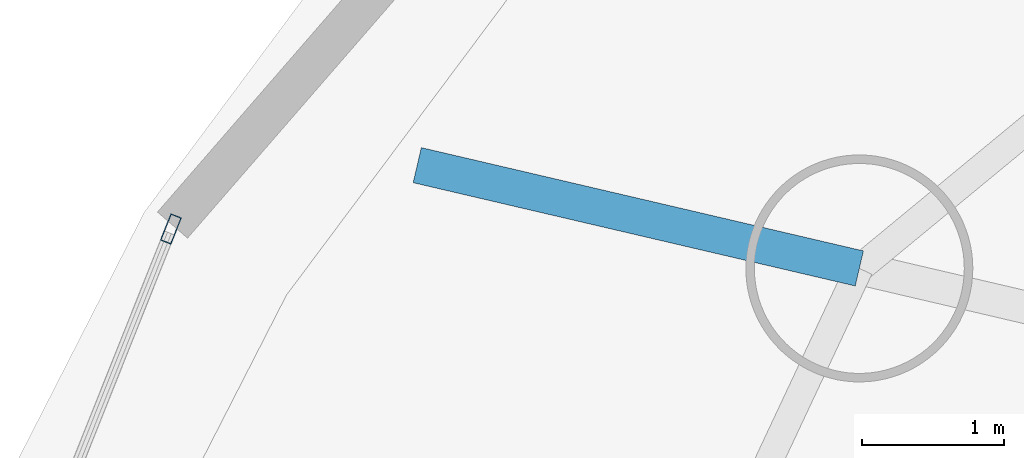
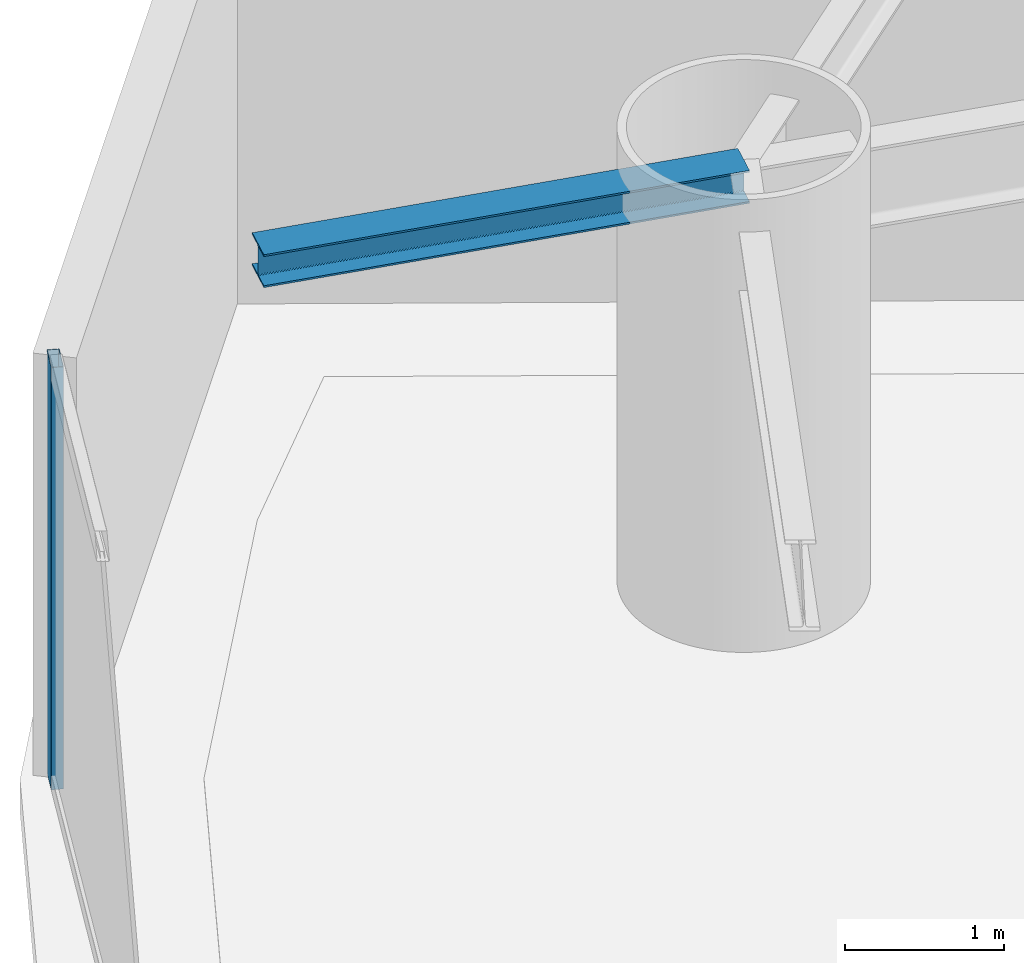
# One storey, part 12 of 26: 1 beam, 1 member, 1 element without a shape of its own.
"""IFC4 building model written with IfcOpenShell, lengths in metres."""

from ifc_helpers import new_model, si_unit, direction, frame, origin, origin_2d, place, context, subcontext, project, spatial, hollow_rectangle, i_section, extrude, material, layer, layer_set, material_profile, profile_set, type_object, element, aggregate, save


model = new_model("IFC4")

# Units and contexts
model_context = context("Model", 3, precision=1e-05, world=origin(), true_north=direction((0.0, 1.0)))
body_context = subcontext(model_context, "Body", "Model", "MODEL_VIEW")
ifc_project = project(units=[si_unit("LENGTHUNIT", "METRE"), si_unit("AREAUNIT", "SQUARE_METRE"), si_unit("VOLUMEUNIT", "CUBIC_METRE"), si_unit("PLANEANGLEUNIT", "RADIAN"), si_unit("MASSUNIT", "GRAM", prefix="KILO")], contexts=[model_context])

# Site, building, storey
site_placement = place(None, origin())
site = spatial("IfcSite", under=ifc_project, at=site_placement, CompositionType="ELEMENT")
building_placement = place(site_placement, origin())
building = spatial("IfcBuilding", under=site, at=building_placement, Name="Bramvorn Convention Spire", CompositionType="ELEMENT")
storey_placement = place(building_placement, frame((0.0, 0.0, 76.39990234375)))
storey = spatial("IfcBuildingStorey", under=building, at=storey_placement, Name="L17", CompositionType="ELEMENT", Elevation=76.39990234375)

# Beam
ifc_material_1 = material(Name="Steel CSA G40.21 Grade 350 (350W)", Category="steel")
ifc_material_profile_1 = material_profile(ifc_material_1, i_section(OverallWidth=0.25390625, OverallDepth=0.2529296875, WebThickness=0.008544921875, FlangeThickness=0.01416015625, FilletRadius=0.011962890625, at=origin_2d()))
ifc_profile_set_1 = profile_set([ifc_material_profile_1], Name="Steel CSA G40.21 Grade 350 (350W) - W250X73")
beam_type = type_object("IfcBeamType", Name="BM-W250X73", PredefinedType="BEAM", material=ifc_profile_set_1)
beam_placement = place(storey_placement, frame((12.64111328125, 36.746337890625, 3.12353515625), z_axis=(-0.973778145797, 0.227499720367, 0.0), x_axis=(-0.227499720367, -0.973778145797, 0.0)))
element("IfcBeam", 1, at=beam_placement, inside=storey, type_object=beam_type, Name="L17 slab-edge cantilever tip beam MC08", PredefinedType="BEAM", context=body_context, shape_type="SweptSolid", body=[
    extrude(i_section(OverallWidth=0.25390625, OverallDepth=0.2529296875, WebThickness=0.008544921875, FlangeThickness=0.01416015625, FilletRadius=0.011962890625, at=origin_2d()), origin(), (0.0, 0.0, 1.0), 3.2001953125),
])

# Curtain wall, member
ifc_material_2 = material(Name="Anodised Bronze Unitised Curtain Wall", Category="aluminium")
ifc_layer = layer(ifc_material_2, 0.179931640625)
ifc_layer_set = layer_set([ifc_layer], Name="Anodised Bronze Unitised Curtain Wall - CW-HTL-FRIT")
curtain_wall_type = type_object("IfcCurtainWallType", Name="CW-HTL-FRIT", PredefinedType="USERDEFINED", material=ifc_layer_set)
curtain_wall_placement = place(storey_placement, origin())
curtain_wall = element("IfcCurtainWall", 2, at=curtain_wall_placement, inside=storey, type_object=curtain_wall_type, Name="L17 fritted glass curtain wall 12", ObjectType="UNITISED CURTAIN WALL", PredefinedType="USERDEFINED")
ifc_material_3 = material(Name="Anodised Bronze Aluminium 6063-T6", Category="aluminium")
ifc_material_profile_2 = material_profile(ifc_material_3, hollow_rectangle(XDim=0.080078125, YDim=0.199951171875, WallThickness=0.00390625, InnerFilletRadius=0.0009765625, OuterFilletRadius=0.00390625, at=origin_2d()))
ifc_profile_set_2 = profile_set([ifc_material_profile_2], Name="Anodised Bronze Aluminium 6063-T6 - CWM80X200")
member_type = type_object("IfcMemberType", Name="CW-MUL-180", PredefinedType="MULLION", material=ifc_profile_set_2)
member_placement = place(storey_placement, frame((7.78857421875, 37.024169921875, 0.0), z_axis=(0.0, 0.0, 1.0), x_axis=(-0.928887606161, 0.370361735497, 0.0)))
member = element("IfcMember", 3, at=member_placement, type_object=member_type, Name="CW2 mullion 2", PredefinedType="MULLION", context=body_context, shape_type="SweptSolid", body=[
    extrude(hollow_rectangle(XDim=0.080078125, YDim=0.199951171875, WallThickness=0.00390625, InnerFilletRadius=0.0009765625, OuterFilletRadius=0.00390625, at=origin_2d()), origin(), (0.0, 0.0, 1.0), 3.25),
])
aggregate(curtain_wall, [member])

save(model, "model.ifc")
